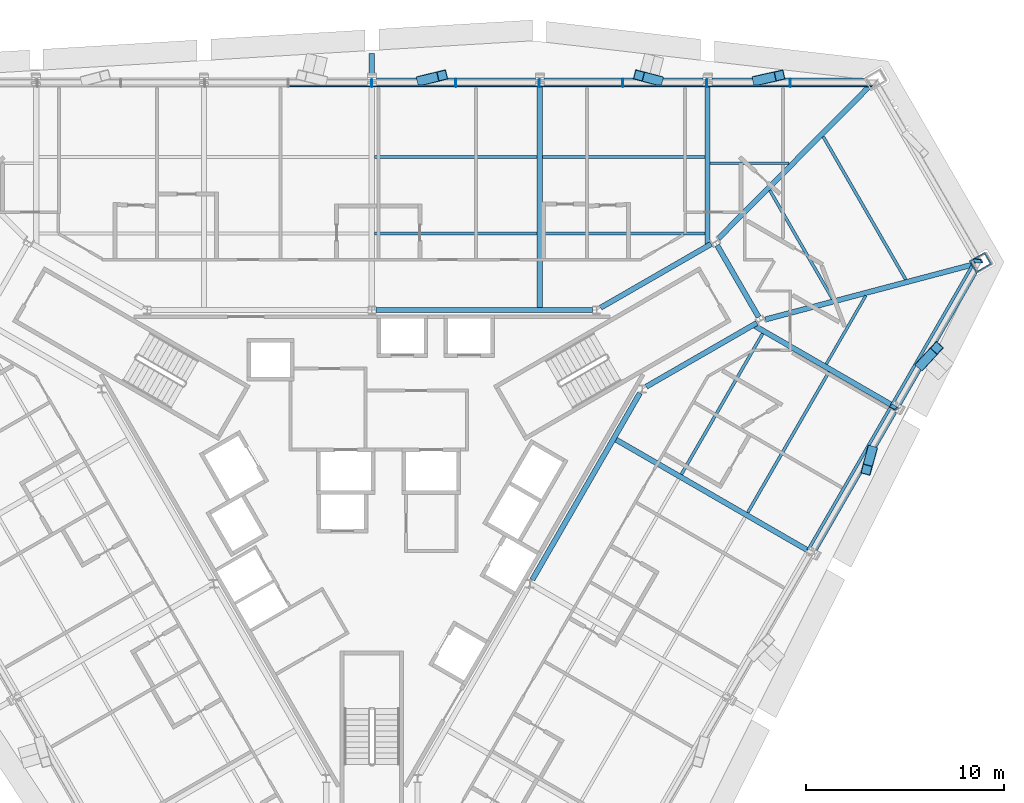
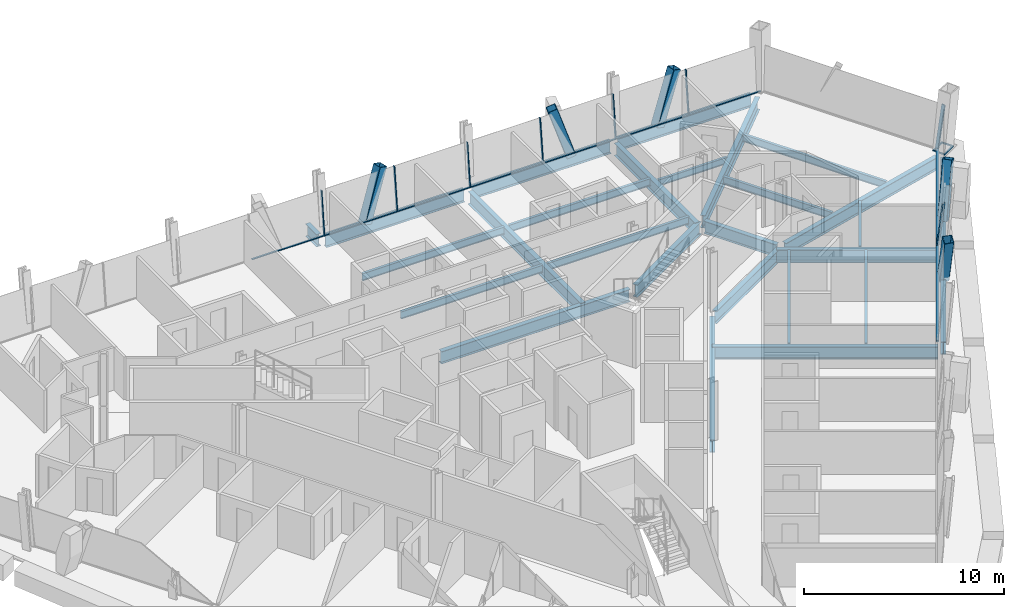
# One storey, part 5 of 15: 27 beams, 23 members, 3 elements without a shape of their own.
"""IFC4 building model written with IfcOpenShell, lengths in metres."""

import ifcopenshell
import ifcopenshell.guid

model = None  # the IFC model being written
_history = None  # IfcOwnerHistory: only IFC2X3 demands one
_inside = {}  # id of a spatial element -> (the spatial element, [elements in it])
_under = {}  # id of a project, library or spatial element -> (it, [spatial elements below it])
_declared = {}  # id of a project -> (the project, [libraries it declares])
_typed = {}  # id of a type object -> (the type object, [elements of that type])
_made_of = {}  # id of a material, layer set ... -> (it, [elements and type objects made of it])


def new_model(schema):
    """Start an empty IFC model of exactly this schema.

    Asked for "IFC4X3", IfcOpenShell would pick the latest addendum, in which some entities
    have other attributes; the version numbers below select the first issue.
    IFC2X3 requires an IfcOwnerHistory on every rooted entity: one is made here for all.
    """
    global model, _history
    if schema == "IFC4X3":
        model = ifcopenshell.file(schema_version=(4, 3, 0, 0))
    else:
        model = ifcopenshell.file(schema=schema)
    _inside.clear()
    _under.clear()
    _declared.clear()
    _typed.clear()
    _made_of.clear()
    _history = None
    if model.schema == "IFC2X3":
        org = make("IfcOrganization", Name="unknown")
        user = make(
            "IfcPersonAndOrganization",
            ThePerson=make("IfcPerson", FamilyName="unknown"),
            TheOrganization=org,
        )
        app = make(
            "IfcApplication",
            ApplicationDeveloper=org,
            Version="unknown",
            ApplicationFullName="unknown",
            ApplicationIdentifier="unknown",
        )
        _history = make(
            "IfcOwnerHistory",
            OwningUser=user,
            OwningApplication=app,
            ChangeAction="ADDED",
            CreationDate=0,
        )
    return model


def make(cls, **values):
    """One entity of the class cls with the attributes given. An attribute that is None is left unset."""
    return model.create_entity(
        cls, **{name: value for name, value in values.items() if value is not None}
    )


def rooted(cls, **values):
    """An entity with a GlobalId (a new one), such as an element, a storey or a relation."""
    return make(cls, GlobalId=ifcopenshell.guid.new(), OwnerHistory=_history, **values)


def si_unit(unit_type, name, prefix=None):
    """IfcSIUnit, for example si_unit("LENGTHUNIT", "METRE", prefix="MILLI")."""
    return make("IfcSIUnit", UnitType=unit_type, Prefix=prefix, Name=name)


def assignment(units):
    """IfcUnitAssignment: the units of a project."""
    return None if units is None else make("IfcUnitAssignment", Units=units)


def point(xyz):
    """IfcCartesianPoint."""
    return None if xyz is None else make("IfcCartesianPoint", Coordinates=xyz)


def direction(xyz):
    """IfcDirection."""
    return None if xyz is None else make("IfcDirection", DirectionRatios=xyz)


def frame(location, z_axis=None, x_axis=None):
    """IfcAxis2Placement3D, a coordinate frame: its origin and axes. An axis left out is left unset."""
    return make(
        "IfcAxis2Placement3D",
        Location=point(location),
        Axis=direction(z_axis),
        RefDirection=direction(x_axis),
    )


def frame_2d(location, x_axis=None):
    """IfcAxis2Placement2D, a coordinate frame in the plane: its origin and x axis."""
    return make(
        "IfcAxis2Placement2D", Location=point(location), RefDirection=direction(x_axis)
    )


def origin():
    """The frame at (0, 0, 0) with its axes left unset."""
    return frame((0.0, 0.0, 0.0))


def origin_2d():
    """The frame at (0, 0) in the plane with its x axis left unset."""
    return frame_2d((0.0, 0.0))


def place(relative_to, where):
    """IfcLocalPlacement: puts the frame where relative to a parent placement (None: the world)."""
    return make(
        "IfcLocalPlacement", PlacementRelTo=relative_to, RelativePlacement=where
    )


def context(
    kind, dimensions, precision=None, world=None, true_north=None, identifier=None
):
    """IfcGeometricRepresentationContext, for example the 3D "Model" context."""
    return make(
        "IfcGeometricRepresentationContext",
        ContextIdentifier=identifier,
        ContextType=kind,
        CoordinateSpaceDimension=dimensions,
        Precision=precision,
        WorldCoordinateSystem=world,
        TrueNorth=true_north,
    )


def subcontext(parent, identifier, kind, view, scale=None):
    """IfcGeometricRepresentationSubContext, for example "Body" below "Model"."""
    return make(
        "IfcGeometricRepresentationSubContext",
        ContextIdentifier=identifier,
        ContextType=kind,
        ParentContext=parent,
        TargetScale=scale,
        TargetView=view,
    )


def project(units=None, contexts=None):
    """IfcProject with its units and contexts."""
    return rooted(
        "IfcProject",
        Name="project",
        RepresentationContexts=contexts,
        UnitsInContext=assignment(units),
    )


def spatial(cls, under=None, at=None, **own):
    """A site, building, storey or space (cls), placed at a placement, below another one or the project."""
    s = rooted(cls, ObjectPlacement=at, **own)
    if under is not None:
        _under.setdefault(under.id(), (under, []))[1].append(s)
    return s


def profile(cls, at=None, kind="AREA", **sizes):
    """A parametric profile (cls). Its sizes go by their IFC names, for example OverallWidth=200.0."""
    return make(cls, ProfileType=kind, Position=at, **sizes)


def rectangle(**sizes):
    """IfcRectangleProfileDef."""
    return profile("IfcRectangleProfileDef", **sizes)


def hollow_rectangle(**sizes):
    """IfcRectangleHollowProfileDef."""
    return profile("IfcRectangleHollowProfileDef", **sizes)


def i_section(**sizes):
    """IfcIShapeProfileDef."""
    return profile("IfcIShapeProfileDef", **sizes)


def extrude(swept, where, along, depth):
    """IfcExtrudedAreaSolid: the profile swept, set in the frame where, extruded along a direction by depth."""
    return make(
        "IfcExtrudedAreaSolid",
        SweptArea=swept,
        Position=where,
        ExtrudedDirection=direction(along),
        Depth=depth,
    )


def shape(context_of_items, identifier, shape_type, items):
    """IfcShapeRepresentation: the items that make up one representation, for example the "Body"."""
    return make(
        "IfcShapeRepresentation",
        ContextOfItems=context_of_items,
        RepresentationIdentifier=identifier,
        RepresentationType=shape_type,
        Items=items,
    )


def material(Name=None, Category=None):
    """IfcMaterial."""
    return make("IfcMaterial", Name=Name, Category=Category)


def material_profile(
    of_material, cross_section, Name=None, Category=None, Priority=None
):
    """IfcMaterialProfile: a cross section and its material."""
    return make(
        "IfcMaterialProfile",
        Name=Name,
        Material=of_material,
        Profile=cross_section,
        Priority=Priority,
        Category=Category,
    )


def profile_set(profiles, Name=None, composite=None):
    """IfcMaterialProfileSet."""
    return make(
        "IfcMaterialProfileSet",
        Name=Name,
        MaterialProfiles=profiles,
        CompositeProfile=composite,
    )


def made_of(thing, what):
    """Note that an element or type object is made of a material, layer set ...; save() writes the relation."""
    if what is not None:
        _made_of.setdefault(what.id(), (what, []))[1].append(thing)
    return thing


def type_object(cls, material=None, **own):
    """A type object (cls), such as IfcWallType, which elements share."""
    return made_of(rooted(cls, **own), material)


def element(
    cls,
    number,
    at=None,
    inside=None,
    cuts=None,
    type_object=None,
    material=None,
    context=None,
    identifier="Body",
    shape_type=None,
    held_by="IfcProductDefinitionShape",
    body=None,
    shapes=None,
    **own,
):
    """One element of the class cls, such as IfcWall. Its Tag is "e" and its number.

    at: its placement. inside: the storey or other place that contains it. cuts: it is an
    opening in that element (IfcRelVoidsElement). A single representation is given by context,
    identifier, shape_type and body (its items); several are given by shapes. held_by: the class
    of the entity that holds the representations. save() writes the other relations.
    """
    e = rooted(cls, Tag="e%d" % number, ObjectPlacement=at, **own)
    if body is not None:
        shapes = [shape(context, identifier, shape_type, body)]
    if shapes is not None:
        e.Representation = make(held_by, Representations=shapes)
    if inside is not None:
        _inside.setdefault(inside.id(), (inside, []))[1].append(e)
    if cuts is not None:
        rooted(
            "IfcRelVoidsElement", RelatingBuildingElement=cuts, RelatedOpeningElement=e
        )
    if type_object is not None:
        _typed.setdefault(type_object.id(), (type_object, []))[1].append(e)
    return made_of(e, material)


def aggregate(whole, parts):
    """IfcRelAggregates: a whole, such as a stair, and the parts it consists of."""
    return rooted("IfcRelAggregates", RelatingObject=whole, RelatedObjects=parts)


def save(model, path):
    """Write the relations noted so far, then the file.

    IfcRelAggregates (storeys below a building ...), IfcRelContainedInSpatialStructure (elements
    in a storey), IfcRelDefinesByType, IfcRelAssociatesMaterial and IfcRelDeclares: one each for
    every whole, place, type object, material and project.
    """
    for whole, parts in _under.values():
        aggregate(whole, parts)
    for where, things in _inside.values():
        rooted(
            "IfcRelContainedInSpatialStructure",
            RelatedElements=things,
            RelatingStructure=where,
        )
    for kind, things in _typed.values():
        rooted("IfcRelDefinesByType", RelatedObjects=things, RelatingType=kind)
    for what, things in _made_of.values():
        rooted("IfcRelAssociatesMaterial", RelatedObjects=things, RelatingMaterial=what)
    for by, libraries in _declared.values():
        rooted("IfcRelDeclares", RelatingContext=by, RelatedDefinitions=libraries)
    model.write(path)


model = new_model("IFC4")

# Units and contexts
model_context = context("Model", 3, precision=1e-05, world=origin(), true_north=direction((0.0, 1.0)))
body_context = subcontext(model_context, "Body", "Model", "MODEL_VIEW")
ifc_project = project(units=[si_unit("LENGTHUNIT", "METRE"), si_unit("AREAUNIT", "SQUARE_METRE"), si_unit("VOLUMEUNIT", "CUBIC_METRE"), si_unit("PLANEANGLEUNIT", "RADIAN"), si_unit("MASSUNIT", "GRAM", prefix="KILO")], contexts=[model_context])

# Site, building, storey
site_placement = place(None, origin())
site = spatial("IfcSite", under=ifc_project, at=site_placement, CompositionType="ELEMENT")
building_placement = place(site_placement, origin())
building = spatial("IfcBuilding", under=site, at=building_placement, Name="Verrane Prism Tower", CompositionType="ELEMENT")
storey_placement = place(building_placement, frame((0.0, 0.0, 44.0)))
storey = spatial("IfcBuildingStorey", under=building, at=storey_placement, Name="L08", CompositionType="ELEMENT", Elevation=44.0)

# Beams
ifc_material_1 = material(Name="Steel A992", Category="steel")
ifc_material_profile_1 = material_profile(ifc_material_1, i_section(OverallWidth=0.2666015625, OverallDepth=0.7568359375, WebThickness=0.013916015625, FlangeThickness=0.019287109375, FilletRadius=0.0166015625, at=origin_2d()), Name="W30x108")
ifc_profile_set_1 = profile_set([ifc_material_profile_1], Name="Steel A992")
beam_type_1 = type_object("IfcBeamType", Name="Core ring girder W30x108", PredefinedType="BEAM", material=ifc_profile_set_1)
beam_1_placement = place(storey_placement, frame((13.833251953125, 5.337158203125, -0.62841796875), z_axis=(0.86646365882, 0.499240150574, 0.0), x_axis=(-0.499240150574, 0.86646365882, 0.0)))
element("IfcBeam", 1, at=beam_1_placement, inside=storey, type_object=beam_type_1, Name="Core ring girder L08", PredefinedType="BEAM", context=body_context, shape_type="SweptSolid", body=[
    extrude(i_section(OverallWidth=0.2666015625, OverallDepth=0.7568359375, WebThickness=0.013916015625, FlangeThickness=0.019287109375, FilletRadius=0.0166015625, at=origin_2d()), origin(), (0.0, 0.0, 1.0), 6.42822265625),
])
beam_2_placement = place(storey_placement, frame((19.4951171875, 8.84130859375, -0.62841796875), z_axis=(-0.500349643494, 0.865823442888, 0.0), x_axis=(-0.865823442888, -0.500349643494, 0.0)))
element("IfcBeam", 2, at=beam_2_placement, inside=storey, type_object=beam_type_1, Name="Core ring girder L08", PredefinedType="BEAM", context=body_context, shape_type="SweptSolid", body=[
    extrude(i_section(OverallWidth=0.2666015625, OverallDepth=0.7568359375, WebThickness=0.013916015625, FlangeThickness=0.019287109375, FilletRadius=0.0166015625, at=origin_2d()), origin(), (0.0, 0.0, 1.0), 4.177734375),
])
beam_3_placement = place(storey_placement, frame((17.10302734375, 12.526611328125, -0.62841796875), z_axis=(-0.866447229751, -0.499268663203, 0.0), x_axis=(0.499268663203, -0.866447229751, 0.0)))
element("IfcBeam", 3, at=beam_3_placement, inside=storey, type_object=beam_type_1, Name="Core ring girder L08", PredefinedType="BEAM", context=body_context, shape_type="SweptSolid", body=[
    extrude(i_section(OverallWidth=0.2666015625, OverallDepth=0.7568359375, WebThickness=0.013916015625, FlangeThickness=0.019287109375, FilletRadius=0.0166015625, at=origin_2d()), origin(), (0.0, 0.0, 1.0), 6.428466796875),
])
beam_4_placement = place(storey_placement, frame((11.126708984375, 9.199951171875, -0.62841796875), z_axis=(-1.0, 0.0, 0.0), x_axis=(0.0, -1.0, 0.0)))
element("IfcBeam", 4, at=beam_4_placement, inside=storey, type_object=beam_type_1, Name="Core ring girder L08", PredefinedType="BEAM", context=body_context, shape_type="SweptSolid", body=[
    extrude(i_section(OverallWidth=0.2666015625, OverallDepth=0.7568359375, WebThickness=0.013916015625, FlangeThickness=0.019287109375, FilletRadius=0.0166015625, at=origin_2d()), origin(), (0.0, 0.0, 1.0), 10.923583984375),
])
beam_5_placement = place(storey_placement, frame((8.090087890625, -4.3916015625, -0.62841796875), z_axis=(0.499371892062, 0.866387738498, 0.0), x_axis=(-0.866387738498, 0.499371892062, 0.0)))
element("IfcBeam", 5, at=beam_5_placement, inside=storey, type_object=beam_type_1, Name="Core ring girder L08", PredefinedType="BEAM", context=body_context, shape_type="SweptSolid", body=[
    extrude(i_section(OverallWidth=0.2666015625, OverallDepth=0.7568359375, WebThickness=0.013916015625, FlangeThickness=0.019287109375, FilletRadius=0.0166015625, at=origin_2d()), origin(), (0.0, 0.0, 1.0), 10.853515625),
])
ifc_material_2 = material(Name="Steel A992", Category="steel")
ifc_material_profile_2 = material_profile(ifc_material_2, i_section(OverallWidth=0.2666015625, OverallDepth=0.76708984375, WebThickness=0.014892578125, FlangeThickness=0.023681640625, FilletRadius=0.0166015625, at=origin_2d()), Name="W30x124")
ifc_profile_set_2 = profile_set([ifc_material_profile_2], Name="Steel A992")
beam_type_2 = type_object("IfcBeamType", Name="Corner girder W30x124", PredefinedType="BEAM", material=ifc_profile_set_2)
beam_6_placement = place(storey_placement, frame((30.21923828125, 11.470703125, -0.603515625), z_axis=(-0.966710515477, -0.255872584047, 0.0), x_axis=(0.255872584047, -0.966710515477, 0.0)))
element("IfcBeam", 6, at=beam_6_placement, inside=storey, type_object=beam_type_2, Name="Corner girder L08", PredefinedType="BEAM", context=body_context, shape_type="SweptSolid", body=[
    extrude(i_section(OverallWidth=0.2666015625, OverallDepth=0.76708984375, WebThickness=0.014892578125, FlangeThickness=0.023681640625, FilletRadius=0.0166015625, at=origin_2d()), origin(), (0.0, 0.0, 1.0), 10.74951171875),
])
beam_7_placement = place(storey_placement, frame((25.04150390625, 20.43896484375, -0.603515625), z_axis=(-0.704479617192, -0.709724220356, 0.0), x_axis=(0.709724220356, -0.704479617192, 0.0)))
element("IfcBeam", 7, at=beam_7_placement, inside=storey, type_object=beam_type_2, Name="Corner girder L08", PredefinedType="BEAM", context=body_context, shape_type="SweptSolid", body=[
    extrude(i_section(OverallWidth=0.2666015625, OverallDepth=0.76708984375, WebThickness=0.014892578125, FlangeThickness=0.023681640625, FilletRadius=0.0166015625, at=origin_2d()), origin(), (0.0, 0.0, 1.0), 10.753173828125),
])

# Members
ifc_material_3 = material(Name="Steel A1085 Grade A", Category="steel")
ifc_material_profile_3 = material_profile(ifc_material_3, hollow_rectangle(XDim=0.508056640625, YDim=0.508056640625, WallThickness=0.025390625, InnerFilletRadius=0.0126953125, OuterFilletRadius=0.0380859375, at=origin_2d()), Name="HSS20x20x1")
ifc_profile_set_3 = profile_set([ifc_material_profile_3], Name="Steel A1085 Grade A")
member_type_1 = type_object("IfcMemberType", Name="Facade brace HSS20x20x1", PredefinedType="BRACE", material=ifc_profile_set_3)
member_1_placement = place(storey_placement, frame((19.443115234375, 20.77001953125, -0.24267578125), z_axis=(0.343950028265, 0.077538745608, 0.93578102192), x_axis=(-0.219917080703, 0.975518568565, 0.0)))
element("IfcMember", 8, at=member_1_placement, inside=storey, type_object=member_type_1, Name="Facade brace N0 L08", PredefinedType="BRACE", context=body_context, shape_type="SweptSolid", body=[
    extrude(hollow_rectangle(XDim=0.508056640625, YDim=0.508056640625, WallThickness=0.025390625, InnerFilletRadius=0.0126953125, OuterFilletRadius=0.0380859375, at=origin_2d()), origin(), (0.0, 0.0, 1.0), 3.21484375),
])
member_2_placement = place(storey_placement, frame((14.40966796875, 20.77001953125, -0.24267578125), z_axis=(-0.29976338751, 0.078779515739, 0.950755330991), x_axis=(-0.254174685157, -0.967158326969, 0.0)))
element("IfcMember", 9, at=member_2_placement, inside=storey, type_object=member_type_1, Name="Facade brace N1 L08", PredefinedType="BRACE", context=body_context, shape_type="SweptSolid", body=[
    extrude(hollow_rectangle(XDim=0.508056640625, YDim=0.508056640625, WallThickness=0.025390625, InnerFilletRadius=0.0126953125, OuterFilletRadius=0.0380859375, at=origin_2d()), origin(), (0.0, 0.0, 1.0), 3.1640625),
])
member_3_placement = place(storey_placement, frame((2.518310546875, 20.77001953125, -0.24267578125), z_axis=(0.322257021008, 0.0781716366, 0.94341910498), x_axis=(-0.235738797585, 0.97181645351, 0.0)))
element("IfcMember", 10, at=member_3_placement, inside=storey, type_object=member_type_1, Name="Facade brace N2 L08", PredefinedType="BRACE", context=body_context, shape_type="SweptSolid", body=[
    extrude(hollow_rectangle(XDim=0.508056640625, YDim=0.508056640625, WallThickness=0.025390625, InnerFilletRadius=0.0126953125, OuterFilletRadius=0.0380859375, at=origin_2d()), origin(), (0.0, 0.0, 1.0), 3.188720703125),
])
member_4_placement = place(storey_placement, frame((25.19482421875, 2.094970703125, -0.24267578125), z_axis=(-0.082410447534, -0.298622127301, 0.950806680258), x_axis=(0.963966190973, -0.266024778284, 0.0)))
element("IfcMember", 11, at=member_4_placement, inside=storey, type_object=member_type_1, Name="Facade brace SE4 L08", PredefinedType="BRACE", context=body_context, shape_type="SweptSolid", body=[
    extrude(hollow_rectangle(XDim=0.508056640625, YDim=0.508056640625, WallThickness=0.025390625, InnerFilletRadius=0.0126953125, OuterFilletRadius=0.0380859375, at=origin_2d()), origin(), (0.0, 0.0, 1.0), 3.1640625),
])
member_5_placement = place(storey_placement, frame((27.7099609375, 6.45556640625, -0.24267578125), z_axis=(0.238271330375, 0.259386864275, 0.93591945581), x_axis=(-0.736446565532, 0.676495717737, 0.0)))
element("IfcMember", 12, at=member_5_placement, inside=storey, type_object=member_type_1, Name="Facade brace SE5 L08", PredefinedType="BRACE", context=body_context, shape_type="SweptSolid", body=[
    extrude(hollow_rectangle(XDim=0.508056640625, YDim=0.508056640625, WallThickness=0.025390625, InnerFilletRadius=0.0126953125, OuterFilletRadius=0.0380859375, at=origin_2d()), origin(), (0.0, 0.0, 1.0), 3.21435546875),
])

# Beams
ifc_material_4 = material(Name="Steel A992", Category="steel")
ifc_material_profile_4 = material_profile(ifc_material_4, i_section(OverallWidth=0.140380859375, OverallDepth=0.40380859375, WebThickness=0.007080078125, FlangeThickness=0.01123046875, FilletRadius=0.01025390625, at=origin_2d()), Name="W16x31")
ifc_profile_set_4 = profile_set([ifc_material_profile_4], Name="Steel A992")
beam_type_3 = type_object("IfcBeamType", Name="Floor beam W16x31", PredefinedType="BEAM", material=ifc_profile_set_4)
beam_8_placement = place(storey_placement, frame((17.053466796875, 16.594970703125, -0.36181640625), z_axis=(1.0, 0.0, 0.0), x_axis=(0.0, 1.0, 0.0)))
element("IfcBeam", 13, at=beam_8_placement, inside=storey, type_object=beam_type_3, Name="Floor beam L08", PredefinedType="BEAM", context=body_context, shape_type="SweptSolid", body=[
    extrude(i_section(OverallWidth=0.140380859375, OverallDepth=0.40380859375, WebThickness=0.007080078125, FlangeThickness=0.01123046875, FilletRadius=0.01025390625, at=origin_2d()), origin(), (0.0, 0.0, 1.0), 3.984130859375),
])
beam_9_placement = place(storey_placement, frame((22.90185546875, 6.470703125, -0.36181640625), z_axis=(0.500005166599, 0.866022420826, 0.0), x_axis=(-0.866022420826, 0.500005166599, 0.0)))
element("IfcBeam", 14, at=beam_9_placement, inside=storey, type_object=beam_type_3, Name="Floor beam L08", PredefinedType="BEAM", context=body_context, shape_type="SweptSolid", body=[
    extrude(i_section(OverallWidth=0.140380859375, OverallDepth=0.40380859375, WebThickness=0.007080078125, FlangeThickness=0.01123046875, FilletRadius=0.01025390625, at=origin_2d()), origin(), (0.0, 0.0, 1.0), 3.98681640625),
])
ifc_material_5 = material(Name="Steel A992", Category="steel")
ifc_material_profile_5 = material_profile(ifc_material_5, i_section(OverallWidth=0.15234375, OverallDepth=0.449462890625, WebThickness=0.007568359375, FlangeThickness=0.0107421875, FilletRadius=0.01025390625, at=origin_2d()), Name="W18x35")
ifc_profile_set_5 = profile_set([ifc_material_profile_5], Name="Steel A992")
beam_type_4 = type_object("IfcBeamType", Name="Floor beam W18x35", PredefinedType="BEAM", material=ifc_profile_set_5)
for number, where, z_axis, x_axis, name in (
    (15, (8.593505859375, 13.056640625, -0.384765625), (1.0, 0.0, 0.0), (0.0, 1.0, 0.0), "Floor beam L08"),
    (16, (8.593505859375, 16.913330078125, -0.384765625), (1.0, 0.0, 0.0), (0.0, 1.0, 0.0), "Floor beam L08"),
):
    element("IfcBeam", number, at=place(storey_placement, frame(where, z_axis=z_axis, x_axis=x_axis)), inside=storey, type_object=beam_type_4, Name=name, PredefinedType="BEAM", context=body_context, shape_type="SweptSolid", body=[
        extrude(i_section(OverallWidth=0.15234375, OverallDepth=0.449462890625, WebThickness=0.007568359375, FlangeThickness=0.0107421875, FilletRadius=0.01025390625, at=origin_2d()), origin(), (0.0, 0.0, 1.0), 8.193115234375),
    ])
for number, where, z_axis, x_axis, name in (
    (17, (0.133544921875, 13.056640625, -0.384765625), (1.0, 0.0, 0.0), (0.0, 1.0, 0.0), "Floor beam L08"),
    (18, (0.133544921875, 16.913330078125, -0.384765625), (1.0, 0.0, 0.0), (0.0, 1.0, 0.0), "Floor beam L08"),
):
    element("IfcBeam", number, at=place(storey_placement, frame(where, z_axis=z_axis, x_axis=x_axis)), inside=storey, type_object=beam_type_4, Name=name, PredefinedType="BEAM", context=body_context, shape_type="SweptSolid", body=[
        extrude(i_section(OverallWidth=0.15234375, OverallDepth=0.449462890625, WebThickness=0.007568359375, FlangeThickness=0.0107421875, FilletRadius=0.01025390625, at=origin_2d()), origin(), (0.0, 0.0, 1.0), 8.19287109375),
    ])
beam_10_placement = place(storey_placement, frame((18.943359375, -1.014404296875, -0.384765625), z_axis=(0.500013012896, 0.866017890655, 0.0), x_axis=(-0.866017890655, 0.500013012896, 0.0)))
element("IfcBeam", 19, at=beam_10_placement, inside=storey, type_object=beam_type_4, Name="Floor beam L08", PredefinedType="BEAM", context=body_context, shape_type="SweptSolid", body=[
    extrude(i_section(OverallWidth=0.15234375, OverallDepth=0.449462890625, WebThickness=0.007568359375, FlangeThickness=0.0107421875, FilletRadius=0.01025390625, at=origin_2d()), origin(), (0.0, 0.0, 1.0), 8.194580078125),
])
beam_11_placement = place(storey_placement, frame((15.60009765625, 0.91552734375, -0.384765625), z_axis=(0.49998813555, 0.86603225362, 0.0), x_axis=(-0.86603225362, 0.49998813555, 0.0)))
element("IfcBeam", 20, at=beam_11_placement, inside=storey, type_object=beam_type_4, Name="Floor beam L08", PredefinedType="BEAM", context=body_context, shape_type="SweptSolid", body=[
    extrude(i_section(OverallWidth=0.15234375, OverallDepth=0.449462890625, WebThickness=0.007568359375, FlangeThickness=0.0107421875, FilletRadius=0.01025390625, at=origin_2d()), origin(), (0.0, 0.0, 1.0), 8.193115234375),
])
beam_12_placement = place(storey_placement, frame((26.910400390625, 10.73291015625, -0.384765625), z_axis=(-0.500000939553, 0.866024861332, 0.0), x_axis=(-0.866024861332, -0.500000939553, 0.0)))
element("IfcBeam", 21, at=beam_12_placement, inside=storey, type_object=beam_type_4, Name="Floor beam L08", PredefinedType="BEAM", context=body_context, shape_type="SweptSolid", body=[
    extrude(i_section(OverallWidth=0.15234375, OverallDepth=0.449462890625, WebThickness=0.007568359375, FlangeThickness=0.0107421875, FilletRadius=0.01025390625, at=origin_2d()), origin(), (0.0, 0.0, 1.0), 8.322265625),
])
beam_13_placement = place(storey_placement, frame((23.219482421875, 9.756103515625, -0.384765625), z_axis=(-0.499989926711, 0.866031219522, 0.0), x_axis=(-0.866031219522, -0.499989926711, 0.0)))
element("IfcBeam", 22, at=beam_13_placement, inside=storey, type_object=beam_type_4, Name="Floor beam L08", PredefinedType="BEAM", context=body_context, shape_type="SweptSolid", body=[
    extrude(i_section(OverallWidth=0.15234375, OverallDepth=0.449462890625, WebThickness=0.007568359375, FlangeThickness=0.0107421875, FilletRadius=0.01025390625, at=origin_2d()), origin(), (0.0, 0.0, 1.0), 6.321044921875),
])

# Member
ifc_material_6 = material(Name="Steel A572 Grade 50", Category="steel")
ifc_material_profile_6 = material_profile(ifc_material_6, hollow_rectangle(XDim=0.699951171875, YDim=0.89990234375, WallThickness=0.06494140625, at=origin_2d()), Name="BOX 900x700x65")
ifc_profile_set_6 = profile_set([ifc_material_profile_6], Name="Steel A572 Grade 50")
member_type_2 = type_object("IfcMemberType", Name="Kink node BOX 900x700x65", PredefinedType="COLLAR", material=ifc_profile_set_6)
member_6_placement = place(storey_placement, frame((30.672119140625, 11.590087890625, -0.0400390625), z_axis=(0.0, 0.0, 1.0), x_axis=(0.5, -0.866025403784, 0.0)))
element("IfcMember", 23, at=member_6_placement, inside=storey, type_object=member_type_2, Name="Kink node MC3 L08", PredefinedType="COLLAR", context=body_context, shape_type="SweptSolid", body=[
    extrude(hollow_rectangle(XDim=0.699951171875, YDim=0.89990234375, WallThickness=0.06494140625, at=origin_2d()), origin(), (0.0, 0.0, 1.0), 0.080078125),
])

# Curtain wall, members
ifc_material_7 = material(Name="Aluminium framed insulated glazing", Category="aluminium")
curtain_wall_type_1 = type_object("IfcCurtainWallType", Name="Curtain wall CW-C 4200 module", PredefinedType="NOTDEFINED", material=ifc_material_7)
curtain_wall_1_placement = place(storey_placement, origin())
curtain_wall_1 = element("IfcCurtainWall", 24, at=curtain_wall_1_placement, inside=storey, type_object=curtain_wall_type_1, Name="Glazed curtain wall north face L08", PredefinedType="NOTDEFINED")
ifc_material_8 = material(Name="Aluminium alloy 6063-T6", Category="aluminium")
ifc_material_profile_7 = material_profile(ifc_material_8, rectangle(XDim=0.139892578125, YDim=0.050048828125, at=origin_2d()), Name="Mullion 50x140 aluminium")
ifc_profile_set_7 = profile_set([ifc_material_profile_7], Name="Aluminium alloy 6063-T6")
member_type_3 = type_object("IfcMemberType", Name="Mullion 50x140 aluminium", PredefinedType="MULLION", material=ifc_profile_set_7)
member_7_placement = place(storey_placement, frame((21.084716796875, 20.490966796875, 0.0), z_axis=(0.0, 0.114088521093, 0.993470588067), x_axis=(0.0, 0.993470588067, -0.114088521093)))
member_7 = element("IfcMember", 25, at=member_7_placement, type_object=member_type_3, Name="CW06.2 mullion 2", PredefinedType="MULLION", context=body_context, shape_type="SweptSolid", body=[
    extrude(rectangle(XDim=0.139892578125, YDim=0.050048828125, at=origin_2d()), origin(), (0.0, 0.0, 1.0), 2.6298828125),
])
member_8_placement = place(storey_placement, frame((16.86767578125, 20.490966796875, 0.0), z_axis=(0.0, 0.114088521093, 0.993470588067), x_axis=(0.0, 0.993470588067, -0.114088521093)))
member_8 = element("IfcMember", 26, at=member_8_placement, type_object=member_type_3, Name="CW06.2 mullion 3", PredefinedType="MULLION", context=body_context, shape_type="SweptSolid", body=[
    extrude(rectangle(XDim=0.139892578125, YDim=0.050048828125, at=origin_2d()), origin(), (0.0, 0.0, 1.0), 2.6298828125),
])
member_9_placement = place(storey_placement, frame((12.65087890625, 20.490966796875, 0.0), z_axis=(0.0, 0.114088521093, 0.993470588067), x_axis=(0.0, 0.993470588067, -0.114088521093)))
member_9 = element("IfcMember", 27, at=member_9_placement, type_object=member_type_3, Name="CW06.2 mullion 4", PredefinedType="MULLION", context=body_context, shape_type="SweptSolid", body=[
    extrude(rectangle(XDim=0.139892578125, YDim=0.050048828125, at=origin_2d()), origin(), (0.0, 0.0, 1.0), 2.6298828125),
])
member_10_placement = place(storey_placement, frame((8.433837890625, 20.490966796875, 0.0), z_axis=(0.0, 0.114088521093, 0.993470588067), x_axis=(0.0, 0.993470588067, -0.114088521093)))
member_10 = element("IfcMember", 28, at=member_10_placement, type_object=member_type_3, Name="CW06.2 mullion 5", PredefinedType="MULLION", context=body_context, shape_type="SweptSolid", body=[
    extrude(rectangle(XDim=0.139892578125, YDim=0.050048828125, at=origin_2d()), origin(), (0.0, 0.0, 1.0), 2.6298828125),
])
member_11_placement = place(storey_placement, frame((4.217041015625, 20.490966796875, 0.0), z_axis=(0.0, 0.114088521093, 0.993470588067), x_axis=(0.0, 0.993470588067, -0.114088521093)))
member_11 = element("IfcMember", 29, at=member_11_placement, type_object=member_type_3, Name="CW06.2 mullion 6", PredefinedType="MULLION", context=body_context, shape_type="SweptSolid", body=[
    extrude(rectangle(XDim=0.139892578125, YDim=0.050048828125, at=origin_2d()), origin(), (0.0, 0.0, 1.0), 2.6298828125),
])
member_12_placement = place(storey_placement, frame((0.0, 20.490966796875, 0.0), z_axis=(0.0, 0.114088521093, 0.993470588067), x_axis=(0.0, 0.993470588067, -0.114088521093)))
member_12 = element("IfcMember", 30, at=member_12_placement, type_object=member_type_3, Name="CW06.2 mullion 7", PredefinedType="MULLION", context=body_context, shape_type="SweptSolid", body=[
    extrude(rectangle(XDim=0.139892578125, YDim=0.050048828125, at=origin_2d()), origin(), (0.0, 0.0, 1.0), 2.6298828125),
])

# Curtain wall, member
ifc_material_9 = material(Name="Aluminium framed insulated glazing", Category="aluminium")
curtain_wall_type_2 = type_object("IfcCurtainWallType", Name="Curtain wall CW-A 8400 module", PredefinedType="NOTDEFINED", material=ifc_material_9)
curtain_wall_2_placement = place(storey_placement, origin())
curtain_wall_2 = element("IfcCurtainWall", 31, at=curtain_wall_2_placement, inside=storey, type_object=curtain_wall_type_2, Name="Glazed curtain wall north-east corner L08", PredefinedType="NOTDEFINED")
ifc_material_10 = material(Name="Aluminium alloy 6063-T6", Category="aluminium")
ifc_material_profile_8 = material_profile(ifc_material_10, rectangle(XDim=0.199951171875, YDim=0.070068359375, at=origin_2d()), Name="Mullion 70x200 aluminium")
ifc_profile_set_8 = profile_set([ifc_material_profile_8], Name="Aluminium alloy 6063-T6")
member_type_4 = type_object("IfcMemberType", Name="Mullion 70x200 aluminium", PredefinedType="MULLION", material=ifc_profile_set_8)
member_13_placement = place(storey_placement, frame((30.37890625, 11.696533203125, 0.0), z_axis=(0.138069008423, -0.011289825086, 0.990358262833), x_axis=(0.422949827447, -0.903502006792, -0.069264472751)))
member_13 = element("IfcMember", 32, at=member_13_placement, type_object=member_type_4, Name="CW06.1 mullion 1", PredefinedType="MULLION", context=body_context, shape_type="SweptSolid", body=[
    extrude(rectangle(XDim=0.199951171875, YDim=0.070068359375, at=origin_2d()), origin(), (0.0, 0.0, 1.0), 2.63818359375),
])
aggregate(curtain_wall_2, [member_13])

curtain_wall_3_placement = place(storey_placement, origin())
curtain_wall_3 = element("IfcCurtainWall", 33, at=curtain_wall_3_placement, inside=storey, type_object=curtain_wall_type_2, Name="Glazed curtain wall south-east face L08", PredefinedType="NOTDEFINED")
member_14_placement = place(storey_placement, frame((26.1796875, 4.3623046875, 0.0), z_axis=(0.098772084644, -0.056998176665, 0.993476362654), x_axis=(-0.863094510418, -0.501813392173, 0.057019168033)))
member_14 = element("IfcMember", 34, at=member_14_placement, type_object=member_type_4, Name="CW06.6 mullion 6", PredefinedType="MULLION", context=body_context, shape_type="SweptSolid", body=[
    extrude(rectangle(XDim=0.199951171875, YDim=0.070068359375, at=origin_2d()), origin(), (0.0, 0.0, 1.0), 2.6298828125),
])

# Beams
ifc_material_11 = material(Name="Steel A992", Category="steel")
ifc_material_profile_9 = material_profile(ifc_material_11, i_section(OverallWidth=0.2666015625, OverallDepth=0.76708984375, WebThickness=0.014892578125, FlangeThickness=0.023681640625, FilletRadius=0.0166015625, at=origin_2d()), Name="W30x124")
ifc_profile_set_9 = profile_set([ifc_material_profile_9], Name="Steel A992")
beam_type_5 = type_object("IfcBeamType", Name="Radial girder W30x124", PredefinedType="BEAM", material=ifc_profile_set_9)
beam_14_placement = place(storey_placement, frame((16.919921875, 20.504638671875, -0.603515625), z_axis=(0.0, -1.0, 0.0), x_axis=(1.0, 0.0, 0.0)))
element("IfcBeam", 35, at=beam_14_placement, inside=storey, type_object=beam_type_5, Name="Radial girder L08", PredefinedType="BEAM", context=body_context, shape_type="SweptSolid", body=[
    extrude(i_section(OverallWidth=0.2666015625, OverallDepth=0.76708984375, WebThickness=0.014892578125, FlangeThickness=0.023681640625, FilletRadius=0.0166015625, at=origin_2d()), origin(), (0.0, 0.0, 1.0), 8.083740234375),
])
beam_15_placement = place(storey_placement, frame((8.4599609375, 20.504638671875, -0.603515625), z_axis=(0.0, -1.0, 0.0), x_axis=(1.0, 0.0, 0.0)))
element("IfcBeam", 36, at=beam_15_placement, inside=storey, type_object=beam_type_5, Name="Radial girder L08", PredefinedType="BEAM", context=body_context, shape_type="SweptSolid", body=[
    extrude(i_section(OverallWidth=0.2666015625, OverallDepth=0.76708984375, WebThickness=0.014892578125, FlangeThickness=0.023681640625, FilletRadius=0.0166015625, at=origin_2d()), origin(), (0.0, 0.0, 1.0), 11.3046875),
])
beam_16_placement = place(storey_placement, frame((21.989990234375, -2.92724609375, -0.603515625), z_axis=(-0.866021685936, 0.500006439447, 0.0), x_axis=(-0.500006439447, -0.866021685936, 0.0)))
element("IfcBeam", 37, at=beam_16_placement, inside=storey, type_object=beam_type_5, Name="Radial girder L08", PredefinedType="BEAM", context=body_context, shape_type="SweptSolid", body=[
    extrude(i_section(OverallWidth=0.2666015625, OverallDepth=0.76708984375, WebThickness=0.014892578125, FlangeThickness=0.023681640625, FilletRadius=0.0166015625, at=origin_2d()), origin(), (0.0, 0.0, 1.0), 11.311279296875),
])
beam_17_placement = place(storey_placement, frame((26.22021484375, 4.402587890625, -0.603515625), z_axis=(-0.866018025241, 0.500012779794, 0.0), x_axis=(-0.500012779794, -0.866018025241, 0.0)))
element("IfcBeam", 38, at=beam_17_placement, inside=storey, type_object=beam_type_5, Name="Radial girder L08", PredefinedType="BEAM", context=body_context, shape_type="SweptSolid", body=[
    extrude(i_section(OverallWidth=0.2666015625, OverallDepth=0.76708984375, WebThickness=0.014892578125, FlangeThickness=0.023681640625, FilletRadius=0.0166015625, at=origin_2d()), origin(), (0.0, 0.0, 1.0), 8.079833984375),
])
beam_18_placement = place(storey_placement, frame((0.0, 21.031494140625, -0.603515625), z_axis=(0.0, 1.0, 0.0), x_axis=(-1.0, 0.0, 0.0)))
element("IfcBeam", 39, at=beam_18_placement, inside=storey, type_object=beam_type_5, Name="Cantilever girder L08", PredefinedType="BEAM", context=body_context, shape_type="SweptSolid", body=[
    extrude(i_section(OverallWidth=0.2666015625, OverallDepth=0.76708984375, WebThickness=0.014892578125, FlangeThickness=0.023681640625, FilletRadius=0.0166015625, at=origin_2d()), origin(), (0.0, 0.0, 1.0), 1.100341796875),
])
ifc_material_12 = material(Name="Steel A992", Category="steel")
ifc_material_profile_10 = material_profile(ifc_material_12, i_section(OverallWidth=0.2666015625, OverallDepth=0.7568359375, WebThickness=0.013916015625, FlangeThickness=0.019287109375, FilletRadius=0.0166015625, at=origin_2d()), Name="W30x108")
ifc_profile_set_10 = profile_set([ifc_material_profile_10], Name="Steel A992")
beam_type_6 = type_object("IfcBeamType", Name="Spandrel beam W30x108", PredefinedType="SPANDREL", material=ifc_profile_set_10)
beam_19_placement = place(storey_placement, frame((24.850341796875, 20.77001953125, -0.53857421875), z_axis=(-1.0, 0.0, 0.0), x_axis=(0.0, -1.0, 0.0)))
element("IfcBeam", 40, at=beam_19_placement, inside=storey, type_object=beam_type_6, Name="Spandrel beam L08", PredefinedType="SPANDREL", context=body_context, shape_type="SweptSolid", body=[
    extrude(i_section(OverallWidth=0.2666015625, OverallDepth=0.7568359375, WebThickness=0.013916015625, FlangeThickness=0.019287109375, FilletRadius=0.0166015625, at=origin_2d()), origin(), (0.0, 0.0, 1.0), 7.709228515625),
])
for number, where, z_axis, x_axis, name in (
    (41, (16.698974609375, 20.77001953125, -0.53857421875), (-1.0, 0.0, 0.0), (0.0, -1.0, 0.0), "Spandrel beam L08"),
    (42, (8.239013671875, 20.77001953125, -0.53857421875), (-1.0, 0.0, 0.0), (0.0, -1.0, 0.0), "Spandrel beam L08"),
):
    element("IfcBeam", number, at=place(storey_placement, frame(where, z_axis=z_axis, x_axis=x_axis)), inside=storey, type_object=beam_type_6, Name=name, PredefinedType="SPANDREL", context=body_context, shape_type="SweptSolid", body=[
        extrude(i_section(OverallWidth=0.2666015625, OverallDepth=0.7568359375, WebThickness=0.013916015625, FlangeThickness=0.019287109375, FilletRadius=0.0166015625, at=origin_2d()), origin(), (0.0, 0.0, 1.0), 8.01806640625),
    ])
beam_20_placement = place(storey_placement, frame((22.33056640625, -2.86865234375, -0.53857421875), z_axis=(0.499815553799, 0.866131867663, 0.0), x_axis=(-0.866131867663, 0.499815553799, 0.0)))
element("IfcBeam", 43, at=beam_20_placement, inside=storey, type_object=beam_type_6, Name="Spandrel beam L08", PredefinedType="SPANDREL", context=body_context, shape_type="SweptSolid", body=[
    extrude(i_section(OverallWidth=0.2666015625, OverallDepth=0.7568359375, WebThickness=0.013916015625, FlangeThickness=0.019287109375, FilletRadius=0.0166015625, at=origin_2d()), origin(), (0.0, 0.0, 1.0), 8.02099609375),
])
beam_21_placement = place(storey_placement, frame((26.560302734375, 4.46142578125, -0.53857421875), z_axis=(0.499457388948, 0.866338453854, 0.0), x_axis=(-0.866338453854, 0.499457388948, 0.0)))
element("IfcBeam", 44, at=beam_21_placement, inside=storey, type_object=beam_type_6, Name="Spandrel beam L08", PredefinedType="SPANDREL", context=body_context, shape_type="SweptSolid", body=[
    extrude(i_section(OverallWidth=0.2666015625, OverallDepth=0.7568359375, WebThickness=0.013916015625, FlangeThickness=0.019287109375, FilletRadius=0.0166015625, at=origin_2d()), origin(), (0.0, 0.0, 1.0), 7.70849609375),
])

# Member
ifc_material_13 = material(Name="Aluminium alloy 6063-T6", Category="aluminium")
ifc_material_profile_11 = material_profile(ifc_material_13, rectangle(XDim=0.10009765625, YDim=0.050048828125, at=origin_2d()), Name="Transom 50x100 aluminium")
ifc_profile_set_11 = profile_set([ifc_material_profile_11], Name="Aluminium alloy 6063-T6")
member_type_5 = type_object("IfcMemberType", Name="Transom 50x100 aluminium", PredefinedType="USERDEFINED", material=ifc_profile_set_11)
member_15_placement = place(storey_placement, frame((25.251708984375, 20.490966796875, 0.02490234375), z_axis=(-1.0, 0.0, 0.0), x_axis=(0.0, -1.0, 0.0)))
member_15 = element("IfcMember", 45, at=member_15_placement, type_object=member_type_5, Name="CW06.2 transom 1", ObjectType="TRANSOM", PredefinedType="USERDEFINED", context=body_context, shape_type="SweptSolid", body=[
    extrude(rectangle(XDim=0.10009765625, YDim=0.050048828125, at=origin_2d()), origin(), (0.0, 0.0, 1.0), 4.14208984375),
])

member_16_placement = place(storey_placement, frame((21.0595703125, 20.490966796875, 0.02490234375), z_axis=(-1.0, 0.0, 0.0), x_axis=(0.0, -1.0, 0.0)))
member_16 = element("IfcMember", 46, at=member_16_placement, type_object=member_type_5, Name="CW06.2 transom 2", ObjectType="TRANSOM", PredefinedType="USERDEFINED", context=body_context, shape_type="SweptSolid", body=[
    extrude(rectangle(XDim=0.10009765625, YDim=0.050048828125, at=origin_2d()), origin(), (0.0, 0.0, 1.0), 4.166748046875),
])

member_17_placement = place(storey_placement, frame((16.8427734375, 20.490966796875, 0.02490234375), z_axis=(-1.0, 0.0, 0.0), x_axis=(0.0, -1.0, 0.0)))
member_17 = element("IfcMember", 47, at=member_17_placement, type_object=member_type_5, Name="CW06.2 transom 3", ObjectType="TRANSOM", PredefinedType="USERDEFINED", context=body_context, shape_type="SweptSolid", body=[
    extrude(rectangle(XDim=0.10009765625, YDim=0.050048828125, at=origin_2d()), origin(), (0.0, 0.0, 1.0), 4.1669921875),
])

member_18_placement = place(storey_placement, frame((12.625732421875, 20.490966796875, 0.02490234375), z_axis=(-1.0, 0.0, 0.0), x_axis=(0.0, -1.0, 0.0)))
member_18 = element("IfcMember", 48, at=member_18_placement, type_object=member_type_5, Name="CW06.2 transom 4", ObjectType="TRANSOM", PredefinedType="USERDEFINED", context=body_context, shape_type="SweptSolid", body=[
    extrude(rectangle(XDim=0.10009765625, YDim=0.050048828125, at=origin_2d()), origin(), (0.0, 0.0, 1.0), 4.166748046875),
])

member_19_placement = place(storey_placement, frame((8.408935546875, 20.490966796875, 0.02490234375), z_axis=(-1.0, 0.0, 0.0), x_axis=(0.0, -1.0, 0.0)))
member_19 = element("IfcMember", 49, at=member_19_placement, type_object=member_type_5, Name="CW06.2 transom 5", ObjectType="TRANSOM", PredefinedType="USERDEFINED", context=body_context, shape_type="SweptSolid", body=[
    extrude(rectangle(XDim=0.10009765625, YDim=0.050048828125, at=origin_2d()), origin(), (0.0, 0.0, 1.0), 4.1669921875),
])

member_20_placement = place(storey_placement, frame((4.19189453125, 20.490966796875, 0.02490234375), z_axis=(-1.0, 0.0, 0.0), x_axis=(0.0, -1.0, 0.0)))
member_20 = element("IfcMember", 50, at=member_20_placement, type_object=member_type_5, Name="CW06.2 transom 6", ObjectType="TRANSOM", PredefinedType="USERDEFINED", context=body_context, shape_type="SweptSolid", body=[
    extrude(rectangle(XDim=0.10009765625, YDim=0.050048828125, at=origin_2d()), origin(), (0.0, 0.0, 1.0), 4.1669921875),
])

member_21_placement = place(storey_placement, frame((-0.02490234375, 20.490966796875, 0.02490234375), z_axis=(-1.0, 0.0, 0.0), x_axis=(0.0, -1.0, 0.0)))
member_21 = element("IfcMember", 51, at=member_21_placement, type_object=member_type_5, Name="CW06.2 transom 7", ObjectType="TRANSOM", PredefinedType="USERDEFINED", context=body_context, shape_type="SweptSolid", body=[
    extrude(rectangle(XDim=0.10009765625, YDim=0.050048828125, at=origin_2d()), origin(), (0.0, 0.0, 1.0), 4.1669921875),
])

aggregate(curtain_wall_1, [member_7, member_8, member_9, member_10, member_11, member_12, member_15, member_16, member_17, member_18, member_19, member_20, member_21])

ifc_material_14 = material(Name="Aluminium alloy 6063-T6", Category="aluminium")
ifc_material_profile_12 = material_profile(ifc_material_14, rectangle(XDim=0.14990234375, YDim=0.070068359375, at=origin_2d()), Name="Transom 70x150 aluminium")
ifc_profile_set_12 = profile_set([ifc_material_profile_12], Name="Aluminium alloy 6063-T6")
member_type_6 = type_object("IfcMemberType", Name="Transom 70x150 aluminium", PredefinedType="USERDEFINED", material=ifc_profile_set_12)
member_22_placement = place(storey_placement, frame((21.980224609375, -2.911376953125, 0.034912109375), z_axis=(0.499991130599, 0.866030524475, 0.0), x_axis=(-0.866030524475, 0.499991130599, 0.0)))
member_22 = element("IfcMember", 52, at=member_22_placement, type_object=member_type_6, Name="CW06.6 transom 5", ObjectType="TRANSOM", PredefinedType="USERDEFINED", context=body_context, shape_type="SweptSolid", body=[
    extrude(rectangle(XDim=0.14990234375, YDim=0.070068359375, at=origin_2d()), origin(), (0.0, 0.0, 1.0), 8.364013671875),
])

member_23_placement = place(storey_placement, frame((26.197021484375, 4.392578125, 0.034912109375), z_axis=(0.500000074778, 0.866025360611, 0.0), x_axis=(-0.866025360611, 0.500000074778, 0.0)))
member_23 = element("IfcMember", 53, at=member_23_placement, type_object=member_type_6, Name="CW06.6 transom 6", ObjectType="TRANSOM", PredefinedType="USERDEFINED", context=body_context, shape_type="SweptSolid", body=[
    extrude(rectangle(XDim=0.14990234375, YDim=0.070068359375, at=origin_2d()), origin(), (0.0, 0.0, 1.0), 8.39892578125),
])

aggregate(curtain_wall_3, [member_14, member_22, member_23])

save(model, "model.ifc")
